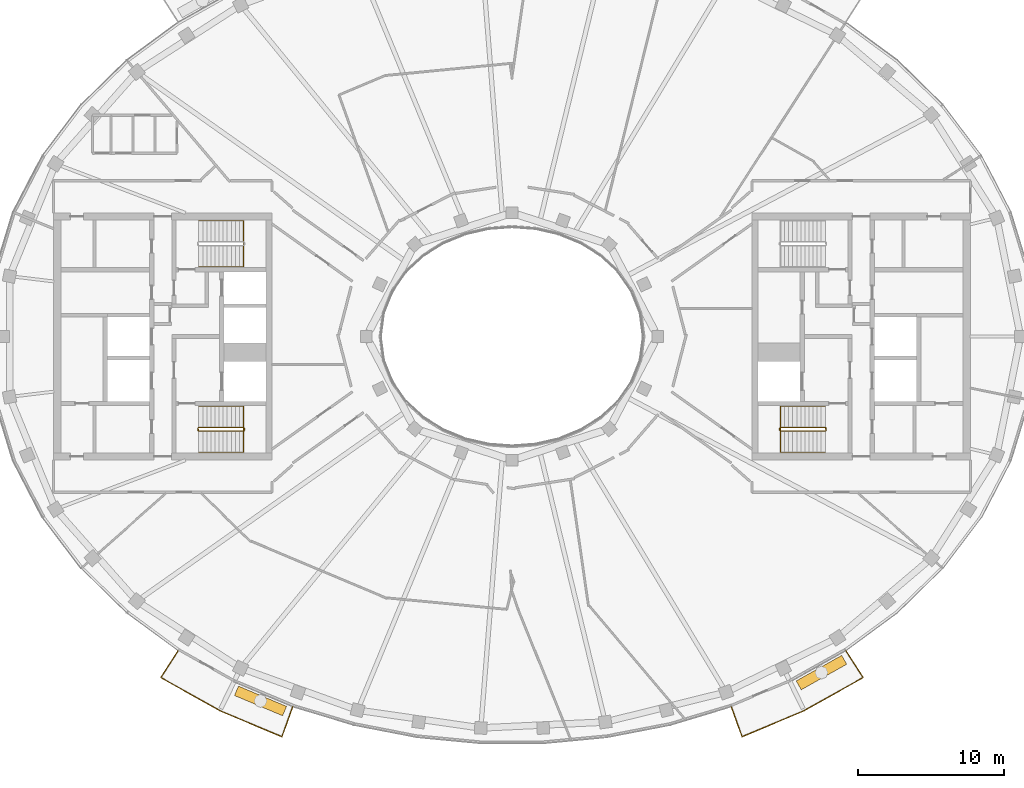
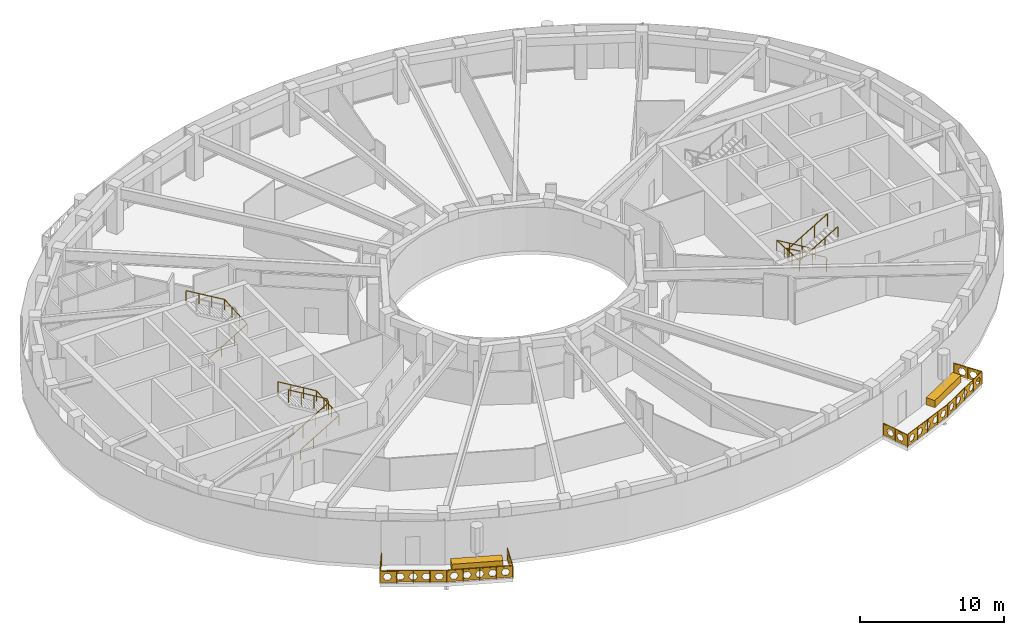
# One storey, part 16 of 18: 7 railings, 2 coverings.
"""IFC4 building model written with IfcOpenShell, lengths in metres."""

from ifc_helpers import new_model, si_unit, direction, frame, origin, origin_2d, place, context, subcontext, project, spatial, polyline, rectangle, outline, extrude, material, type_object, element, save


model = new_model("IFC4")

# Units and contexts
model_context = context("Model", 3, precision=1e-05, world=origin(), true_north=direction((0.0, 1.0)))
body_context = subcontext(model_context, "Body", "Model", "MODEL_VIEW")
ifc_project = project(units=[si_unit("LENGTHUNIT", "METRE"), si_unit("AREAUNIT", "SQUARE_METRE"), si_unit("VOLUMEUNIT", "CUBIC_METRE"), si_unit("PLANEANGLEUNIT", "RADIAN"), si_unit("MASSUNIT", "GRAM", prefix="KILO")], contexts=[model_context])

# Site, building, storey
site_placement = place(None, origin())
site = spatial("IfcSite", under=ifc_project, at=site_placement, CompositionType="ELEMENT")
building_placement = place(site_placement, origin())
building = spatial("IfcBuilding", under=site, at=building_placement, Name="Noorbagh Ring Tower", CompositionType="ELEMENT")
storey_placement = place(building_placement, frame((0.0, 0.0, 319.0)))
storey = spatial("IfcBuildingStorey", under=building, at=storey_placement, Name="L69", CompositionType="ELEMENT", Elevation=319.0)

# Railings
ifc_material_1 = material(Name="Stainless steel", Category="steel")
railing_type_1 = type_object("IfcRailingType", Name="CORE-STAIR-GUARD", PredefinedType="GUARDRAIL", material=ifc_material_1)
railing_1_placement = place(storey_placement, frame((-21.580078125, -6.449951171875, 0.0)))
element("IfcRailing", 1, at=railing_1_placement, inside=storey, type_object=railing_type_1, Name="L69 ST2 stair guard", PredefinedType="GUARDRAIL", context=body_context, shape_type="SweptSolid", body=[
    extrude(rectangle(XDim=0.048095703125, YDim=0.048095703125, at=origin_2d()), frame((0.0, 0.0, 1.076171875), z_axis=(0.0, 1.0, 0.0), x_axis=(-1.0, 0.0, 0.0)), (0.0, 0.0, 1.0), 0.14990234375),
    extrude(rectangle(XDim=0.048095703125, YDim=0.048095703125, at=origin_2d()), frame((0.0, 0.14990234375, 1.076171875), z_axis=(0.188775798145, -0.754182335027, 0.628945707965), x_axis=(0.970072785993, 0.242814311512, 0.0)), (0.0, 0.0, 1.0), 0.26513671875),
    extrude(rectangle(XDim=0.048095703125, YDim=0.048095703125, at=origin_2d()), frame((0.050048828125, -0.050048828125, 1.24267578125), z_axis=(0.859308565015, 0.0, 0.511457515432), x_axis=(0.0, 1.0, 0.0)), (0.0, 0.0, 1.0), 3.58447265625),
    extrude(rectangle(XDim=0.048095703125, YDim=0.048095703125, at=origin_2d()), frame((3.130126953125, -0.050048828125, 3.076171875), z_axis=(0.707106781187, 0.707106781187, 0.0), x_axis=(-0.707106781187, 0.707106781187, 0.0)), (0.0, 0.0, 1.0), 0.07080078125),
    extrude(rectangle(XDim=0.048095703125, YDim=0.048095703125, at=origin_2d()), frame((3.18017578125, 0.0, 3.076171875), z_axis=(0.0, 1.0, 0.0), x_axis=(-1.0, 0.0, 0.0)), (0.0, 0.0, 1.0), 0.14990234375),
    extrude(rectangle(XDim=0.048095703125, YDim=0.048095703125, at=origin_2d()), frame((3.18017578125, 0.14990234375, 3.076171875), z_axis=(-0.27628659633, 0.27628659633, 0.920506074601), x_axis=(-0.707106781187, -0.707106781187, 0.0)), (0.0, 0.0, 1.0), 0.18115234375),
    extrude(rectangle(XDim=0.048095703125, YDim=0.048095703125, at=origin_2d()), frame((3.130126953125, 0.199951171875, 3.24267578125), z_axis=(-0.859308565015, 0.0, 0.511457515432), x_axis=(0.0, -1.0, 0.0)), (0.0, 0.0, 1.0), 3.58447265625),
    extrude(rectangle(XDim=0.0419921875, YDim=0.0419921875, at=origin_2d()), origin(), (0.0, 0.0, 1.0), 1.052001953125),
    extrude(rectangle(XDim=0.0419921875, YDim=0.0419921875, at=origin_2d()), frame((1.07666015625, -0.050048828125, 0.77783203125)), (0.0, 0.0, 1.0), 1.052001953125),
    extrude(rectangle(XDim=0.0419921875, YDim=0.0419921875, at=origin_2d()), frame((2.103515625, -0.050048828125, 1.388916015625)), (0.0, 0.0, 1.0), 1.052001953125),
    extrude(rectangle(XDim=0.0419921875, YDim=0.0419921875, at=origin_2d()), frame((3.130126953125, -0.050048828125, 2.0)), (0.0, 0.0, 1.0), 1.052001953125),
    extrude(rectangle(XDim=0.0419921875, YDim=0.0419921875, at=origin_2d()), frame((3.130126953125, 0.199951171875, 2.166748046875)), (0.0, 0.0, 1.0), 1.052001953125),
    extrude(rectangle(XDim=0.0419921875, YDim=0.0419921875, at=origin_2d()), frame((2.103515625, 0.199951171875, 2.77783203125)), (0.0, 0.0, 1.0), 1.052001953125),
    extrude(rectangle(XDim=0.0419921875, YDim=0.0419921875, at=origin_2d()), frame((1.07666015625, 0.199951171875, 3.388916015625)), (0.0, 0.0, 1.0), 1.052001953125),
    extrude(rectangle(XDim=0.0419921875, YDim=0.0419921875, at=origin_2d()), frame((0.050048828125, 0.199951171875, 4.0)), (0.0, 0.0, 1.0), 1.052001953125),
])
railing_2_placement = place(storey_placement, frame((21.580078125, -6.300048828125, 0.0)))
element("IfcRailing", 2, at=railing_2_placement, inside=storey, type_object=railing_type_1, Name="L69 ST4 stair guard", PredefinedType="GUARDRAIL", context=body_context, shape_type="SweptSolid", body=[
    extrude(rectangle(XDim=0.048095703125, YDim=0.048095703125, at=origin_2d()), frame((0.0, 0.0, 1.076171875), z_axis=(0.0, -1.0, 0.0), x_axis=(1.0, 0.0, 0.0)), (0.0, 0.0, 1.0), 0.14990234375),
    extrude(rectangle(XDim=0.048095703125, YDim=0.048095703125, at=origin_2d()), frame((0.0, -0.14990234375, 1.076171875), z_axis=(-0.188775798145, 0.754182335027, 0.628945707965), x_axis=(-0.970072785993, -0.242814311512, 0.0)), (0.0, 0.0, 1.0), 0.26513671875),
    extrude(rectangle(XDim=0.048095703125, YDim=0.048095703125, at=origin_2d()), frame((-0.050048828125, 0.050048828125, 1.24267578125), z_axis=(-0.859308565015, 0.0, 0.511457515432), x_axis=(0.0, -1.0, 0.0)), (0.0, 0.0, 1.0), 3.58447265625),
    extrude(rectangle(XDim=0.048095703125, YDim=0.048095703125, at=origin_2d()), frame((-3.130126953125, 0.050048828125, 3.076171875), z_axis=(-0.707106781187, -0.707106781187, 0.0), x_axis=(0.707106781187, -0.707106781187, 0.0)), (0.0, 0.0, 1.0), 0.07080078125),
    extrude(rectangle(XDim=0.048095703125, YDim=0.048095703125, at=origin_2d()), frame((-3.18017578125, 0.0, 3.076171875), z_axis=(0.0, -1.0, 0.0), x_axis=(1.0, 0.0, 0.0)), (0.0, 0.0, 1.0), 0.14990234375),
    extrude(rectangle(XDim=0.048095703125, YDim=0.048095703125, at=origin_2d()), frame((-3.18017578125, -0.14990234375, 3.076171875), z_axis=(0.27628659633, -0.27628659633, 0.920506074601), x_axis=(0.707106781187, 0.707106781187, 0.0)), (0.0, 0.0, 1.0), 0.18115234375),
    extrude(rectangle(XDim=0.048095703125, YDim=0.048095703125, at=origin_2d()), frame((-3.130126953125, -0.199951171875, 3.24267578125), z_axis=(0.859308565015, 0.0, 0.511457515432), x_axis=(0.0, 1.0, 0.0)), (0.0, 0.0, 1.0), 3.58447265625),
    extrude(rectangle(XDim=0.0419921875, YDim=0.0419921875, at=origin_2d()), origin(), (0.0, 0.0, 1.0), 1.052001953125),
    extrude(rectangle(XDim=0.0419921875, YDim=0.0419921875, at=origin_2d()), frame((-1.07666015625, 0.050048828125, 0.77783203125)), (0.0, 0.0, 1.0), 1.052001953125),
    extrude(rectangle(XDim=0.0419921875, YDim=0.0419921875, at=origin_2d()), frame((-2.103515625, 0.050048828125, 1.388916015625)), (0.0, 0.0, 1.0), 1.052001953125),
    extrude(rectangle(XDim=0.0419921875, YDim=0.0419921875, at=origin_2d()), frame((-3.130126953125, 0.050048828125, 2.0)), (0.0, 0.0, 1.0), 1.052001953125),
    extrude(rectangle(XDim=0.0419921875, YDim=0.0419921875, at=origin_2d()), frame((-3.130126953125, -0.199951171875, 2.166748046875)), (0.0, 0.0, 1.0), 1.052001953125),
    extrude(rectangle(XDim=0.0419921875, YDim=0.0419921875, at=origin_2d()), frame((-2.103515625, -0.199951171875, 2.77783203125)), (0.0, 0.0, 1.0), 1.052001953125),
    extrude(rectangle(XDim=0.0419921875, YDim=0.0419921875, at=origin_2d()), frame((-1.07666015625, -0.199951171875, 3.388916015625)), (0.0, 0.0, 1.0), 1.052001953125),
    extrude(rectangle(XDim=0.0419921875, YDim=0.0419921875, at=origin_2d()), frame((-0.050048828125, -0.199951171875, 4.0)), (0.0, 0.0, 1.0), 1.052001953125),
])
ifc_material_2 = material(Name="Stainless steel", Category="steel")
railing_type_2 = type_object("IfcRailingType", Name="CORE-STAIR-HANDRAIL", PredefinedType="HANDRAIL", material=ifc_material_2)
railing_3_placement = place(storey_placement, frame((-21.530029296875, 4.800048828125, 0.166748046875)))
element("IfcRailing", 3, at=railing_3_placement, inside=storey, type_object=railing_type_2, Name="L69 ST1 stair handrail", PredefinedType="HANDRAIL", context=body_context, shape_type="SweptSolid", body=[
    extrude(rectangle(XDim=0.048095703125, YDim=0.048095703125, at=origin_2d()), frame((0.0, 0.0, 0.8759765625), z_axis=(0.859308565015, 0.0, 0.511457515432), x_axis=(0.0, 1.0, 0.0)), (0.0, 0.0, 1.0), 3.58447265625),
    extrude(rectangle(XDim=0.048095703125, YDim=0.048095703125, at=origin_2d()), frame((3.080078125, 0.0, 2.708984375), z_axis=(0.0, 0.998601747152, 0.052863509014), x_axis=(-1.0, 0.0, 0.0)), (0.0, 0.0, 1.0), 3.154296875),
    extrude(rectangle(XDim=0.048095703125, YDim=0.048095703125, at=origin_2d()), frame((3.080078125, 3.14990234375, 2.8759765625), z_axis=(-0.859308565015, 0.0, 0.511457515432), x_axis=(0.0, -1.0, 0.0)), (0.0, 0.0, 1.0), 3.58447265625),
    extrude(rectangle(XDim=0.0419921875, YDim=0.0419921875, at=origin_2d()), origin(), (0.0, 0.0, 1.0), 0.851806640625),
    extrude(rectangle(XDim=0.0419921875, YDim=0.0419921875, at=origin_2d()), frame((1.026611328125, 0.0, 0.611083984375)), (0.0, 0.0, 1.0), 0.851806640625),
    extrude(rectangle(XDim=0.0419921875, YDim=0.0419921875, at=origin_2d()), frame((2.053466796875, 0.0, 1.22216796875)), (0.0, 0.0, 1.0), 0.851806640625),
    extrude(rectangle(XDim=0.0419921875, YDim=0.0419921875, at=origin_2d()), frame((3.080078125, 0.0, 1.833251953125)), (0.0, 0.0, 1.0), 0.851806640625),
    extrude(rectangle(XDim=0.0419921875, YDim=0.0419921875, at=origin_2d()), frame((3.080078125, 1.050048828125, 1.888916015625)), (0.0, 0.0, 1.0), 0.851806640625),
    extrude(rectangle(XDim=0.0419921875, YDim=0.0419921875, at=origin_2d()), frame((3.080078125, 2.099853515625, 1.9443359375)), (0.0, 0.0, 1.0), 0.851806640625),
    extrude(rectangle(XDim=0.0419921875, YDim=0.0419921875, at=origin_2d()), frame((3.080078125, 3.14990234375, 2.0)), (0.0, 0.0, 1.0), 0.851806640625),
    extrude(rectangle(XDim=0.0419921875, YDim=0.0419921875, at=origin_2d()), frame((2.053466796875, 3.14990234375, 2.611083984375)), (0.0, 0.0, 1.0), 0.851806640625),
    extrude(rectangle(XDim=0.0419921875, YDim=0.0419921875, at=origin_2d()), frame((1.026611328125, 3.14990234375, 3.22216796875)), (0.0, 0.0, 1.0), 0.851806640625),
    extrude(rectangle(XDim=0.0419921875, YDim=0.0419921875, at=origin_2d()), frame((0.0, 3.14990234375, 3.833251953125)), (0.0, 0.0, 1.0), 0.851806640625),
])
railing_4_placement = place(storey_placement, frame((-21.530029296875, -7.949951171875, 0.166748046875)))
element("IfcRailing", 4, at=railing_4_placement, inside=storey, type_object=railing_type_2, Name="L69 ST2 stair handrail", PredefinedType="HANDRAIL", context=body_context, shape_type="SweptSolid", body=[
    extrude(rectangle(XDim=0.048095703125, YDim=0.048095703125, at=origin_2d()), frame((0.0, 0.0, 0.8759765625), z_axis=(0.859308565015, 0.0, 0.511457515432), x_axis=(0.0, 1.0, 0.0)), (0.0, 0.0, 1.0), 3.58447265625),
    extrude(rectangle(XDim=0.048095703125, YDim=0.048095703125, at=origin_2d()), frame((3.080078125, 0.0, 2.708984375), z_axis=(0.0, 0.998601747152, 0.052863509014), x_axis=(-1.0, 0.0, 0.0)), (0.0, 0.0, 1.0), 3.154296875),
    extrude(rectangle(XDim=0.048095703125, YDim=0.048095703125, at=origin_2d()), frame((3.080078125, 3.14990234375, 2.8759765625), z_axis=(-0.859308565015, 0.0, 0.511457515432), x_axis=(0.0, -1.0, 0.0)), (0.0, 0.0, 1.0), 3.58447265625),
    extrude(rectangle(XDim=0.0419921875, YDim=0.0419921875, at=origin_2d()), origin(), (0.0, 0.0, 1.0), 0.851806640625),
    extrude(rectangle(XDim=0.0419921875, YDim=0.0419921875, at=origin_2d()), frame((1.026611328125, 0.0, 0.611083984375)), (0.0, 0.0, 1.0), 0.851806640625),
    extrude(rectangle(XDim=0.0419921875, YDim=0.0419921875, at=origin_2d()), frame((2.053466796875, 0.0, 1.22216796875)), (0.0, 0.0, 1.0), 0.851806640625),
    extrude(rectangle(XDim=0.0419921875, YDim=0.0419921875, at=origin_2d()), frame((3.080078125, 0.0, 1.833251953125)), (0.0, 0.0, 1.0), 0.851806640625),
    extrude(rectangle(XDim=0.0419921875, YDim=0.0419921875, at=origin_2d()), frame((3.080078125, 1.050048828125, 1.888916015625)), (0.0, 0.0, 1.0), 0.851806640625),
    extrude(rectangle(XDim=0.0419921875, YDim=0.0419921875, at=origin_2d()), frame((3.080078125, 2.099853515625, 1.9443359375)), (0.0, 0.0, 1.0), 0.851806640625),
    extrude(rectangle(XDim=0.0419921875, YDim=0.0419921875, at=origin_2d()), frame((3.080078125, 3.14990234375, 2.0)), (0.0, 0.0, 1.0), 0.851806640625),
    extrude(rectangle(XDim=0.0419921875, YDim=0.0419921875, at=origin_2d()), frame((2.053466796875, 3.14990234375, 2.611083984375)), (0.0, 0.0, 1.0), 0.851806640625),
    extrude(rectangle(XDim=0.0419921875, YDim=0.0419921875, at=origin_2d()), frame((1.026611328125, 3.14990234375, 3.22216796875)), (0.0, 0.0, 1.0), 0.851806640625),
    extrude(rectangle(XDim=0.0419921875, YDim=0.0419921875, at=origin_2d()), frame((0.0, 3.14990234375, 3.833251953125)), (0.0, 0.0, 1.0), 0.851806640625),
])
railing_5_placement = place(storey_placement, frame((21.530029296875, -4.800048828125, 0.166748046875)))
element("IfcRailing", 5, at=railing_5_placement, inside=storey, type_object=railing_type_2, Name="L69 ST4 stair handrail", PredefinedType="HANDRAIL", context=body_context, shape_type="SweptSolid", body=[
    extrude(rectangle(XDim=0.048095703125, YDim=0.048095703125, at=origin_2d()), frame((0.0, 0.0, 0.8759765625), z_axis=(-0.859308565015, 0.0, 0.511457515432), x_axis=(0.0, -1.0, 0.0)), (0.0, 0.0, 1.0), 3.58447265625),
    extrude(rectangle(XDim=0.048095703125, YDim=0.048095703125, at=origin_2d()), frame((-3.080078125, 0.0, 2.708984375), z_axis=(0.0, -0.998601747152, 0.052863509014), x_axis=(1.0, 0.0, 0.0)), (0.0, 0.0, 1.0), 3.154296875),
    extrude(rectangle(XDim=0.048095703125, YDim=0.048095703125, at=origin_2d()), frame((-3.080078125, -3.14990234375, 2.8759765625), z_axis=(0.859308565015, 0.0, 0.511457515432), x_axis=(0.0, 1.0, 0.0)), (0.0, 0.0, 1.0), 3.58447265625),
    extrude(rectangle(XDim=0.0419921875, YDim=0.0419921875, at=origin_2d()), origin(), (0.0, 0.0, 1.0), 0.851806640625),
    extrude(rectangle(XDim=0.0419921875, YDim=0.0419921875, at=origin_2d()), frame((-1.026611328125, 0.0, 0.611083984375)), (0.0, 0.0, 1.0), 0.851806640625),
    extrude(rectangle(XDim=0.0419921875, YDim=0.0419921875, at=origin_2d()), frame((-2.053466796875, 0.0, 1.22216796875)), (0.0, 0.0, 1.0), 0.851806640625),
    extrude(rectangle(XDim=0.0419921875, YDim=0.0419921875, at=origin_2d()), frame((-3.080078125, 0.0, 1.833251953125)), (0.0, 0.0, 1.0), 0.851806640625),
    extrude(rectangle(XDim=0.0419921875, YDim=0.0419921875, at=origin_2d()), frame((-3.080078125, -1.050048828125, 1.888916015625)), (0.0, 0.0, 1.0), 0.851806640625),
    extrude(rectangle(XDim=0.0419921875, YDim=0.0419921875, at=origin_2d()), frame((-3.080078125, -2.099853515625, 1.9443359375)), (0.0, 0.0, 1.0), 0.851806640625),
    extrude(rectangle(XDim=0.0419921875, YDim=0.0419921875, at=origin_2d()), frame((-3.080078125, -3.14990234375, 2.0)), (0.0, 0.0, 1.0), 0.851806640625),
    extrude(rectangle(XDim=0.0419921875, YDim=0.0419921875, at=origin_2d()), frame((-2.053466796875, -3.14990234375, 2.611083984375)), (0.0, 0.0, 1.0), 0.851806640625),
    extrude(rectangle(XDim=0.0419921875, YDim=0.0419921875, at=origin_2d()), frame((-1.026611328125, -3.14990234375, 3.22216796875)), (0.0, 0.0, 1.0), 0.851806640625),
    extrude(rectangle(XDim=0.0419921875, YDim=0.0419921875, at=origin_2d()), frame((0.0, -3.14990234375, 3.833251953125)), (0.0, 0.0, 1.0), 0.851806640625),
])
ifc_material_3 = material(Name="Steel S275 black powder-coated", Category="steel")
railing_type_3 = type_object("IfcRailingType", Name="ENV-GUARD", PredefinedType="GUARDRAIL", material=ifc_material_3)
railing_6_placement = place(storey_placement, frame((-22.9326171875, -21.583740234375, 0.0)))
element("IfcRailing", 6, at=railing_6_placement, inside=storey, type_object=railing_type_3, Name="Balcony guard BS02", PredefinedType="GUARDRAIL", context=body_context, shape_type="SweptSolid", body=[
    extrude(rectangle(XDim=0.048095703125, YDim=0.048095703125, at=origin_2d()), frame((0.0, 0.0, 1.076171875), z_axis=(-0.542268136821, -0.840205491406, 0.0), x_axis=(0.840205491406, -0.542268136821, 0.0)), (0.0, 0.0, 1.0), 2.204345703125),
    extrude(rectangle(XDim=0.048095703125, YDim=0.048095703125, at=origin_2d()), frame((-1.1953125, -1.85205078125, 1.076171875), z_axis=(0.872052247658, -0.489412788303, 0.0), x_axis=(0.489412788303, 0.872052247658, 0.0)), (0.0, 0.0, 1.0), 4.646240234375),
    extrude(rectangle(XDim=0.048095703125, YDim=0.048095703125, at=origin_2d()), frame((2.8564453125, -4.1259765625, 1.076171875), z_axis=(0.921809087722, -0.387644174203, 0.0), x_axis=(0.387644174203, 0.921809087722, 0.0)), (0.0, 0.0, 1.0), 4.627197265625),
    extrude(rectangle(XDim=0.048095703125, YDim=0.048095703125, at=origin_2d()), frame((7.121826171875, -5.919677734375, 1.076171875), z_axis=(0.338350546839, 0.941020141896, 0.0), x_axis=(-0.941020141896, 0.338350546839, 0.0)), (0.0, 0.0, 1.0), 2.202880859375),
    extrude(rectangle(XDim=0.0419921875, YDim=0.0419921875, at=origin_2d()), origin(), (0.0, 0.0, 1.0), 1.052001953125),
    extrude(rectangle(XDim=0.0419921875, YDim=0.0419921875, at=origin_2d()), frame((-0.59765625, -0.926025390625, 0.0)), (0.0, 0.0, 1.0), 1.052001953125),
    extrude(rectangle(XDim=0.0419921875, YDim=0.0419921875, at=origin_2d()), frame((-1.1953125, -1.85205078125, 0.0)), (0.0, 0.0, 1.0), 1.052001953125),
    extrude(rectangle(XDim=0.0419921875, YDim=0.0419921875, at=origin_2d()), frame((-0.182373046875, -2.42041015625, 0.0)), (0.0, 0.0, 1.0), 1.052001953125),
    extrude(rectangle(XDim=0.0419921875, YDim=0.0419921875, at=origin_2d()), frame((0.83056640625, -2.989013671875, 0.0)), (0.0, 0.0, 1.0), 1.052001953125),
    extrude(rectangle(XDim=0.0419921875, YDim=0.0419921875, at=origin_2d()), frame((1.843505859375, -3.5576171875, 0.0)), (0.0, 0.0, 1.0), 1.052001953125),
    extrude(rectangle(XDim=0.0419921875, YDim=0.0419921875, at=origin_2d()), frame((2.8564453125, -4.1259765625, 0.0)), (0.0, 0.0, 1.0), 1.052001953125),
    extrude(rectangle(XDim=0.0419921875, YDim=0.0419921875, at=origin_2d()), frame((3.9228515625, -4.574462890625, 0.0)), (0.0, 0.0, 1.0), 1.052001953125),
    extrude(rectangle(XDim=0.0419921875, YDim=0.0419921875, at=origin_2d()), frame((4.9892578125, -5.02294921875, 0.0)), (0.0, 0.0, 1.0), 1.052001953125),
    extrude(rectangle(XDim=0.0419921875, YDim=0.0419921875, at=origin_2d()), frame((6.055419921875, -5.47119140625, 0.0)), (0.0, 0.0, 1.0), 1.052001953125),
    extrude(rectangle(XDim=0.0419921875, YDim=0.0419921875, at=origin_2d()), frame((7.121826171875, -5.919677734375, 0.0)), (0.0, 0.0, 1.0), 1.052001953125),
    extrude(rectangle(XDim=0.0419921875, YDim=0.0419921875, at=origin_2d()), frame((7.49462890625, -4.88330078125, 0.0)), (0.0, 0.0, 1.0), 1.052001953125),
    extrude(rectangle(XDim=0.0419921875, YDim=0.0419921875, at=origin_2d()), frame((7.8671875, -3.8466796875, 0.0)), (0.0, 0.0, 1.0), 1.052001953125),
    extrude(outline(polyline([(0.0, 0.10009765625), (2.204345703125, 0.10009765625), (2.204345703125, 1.031982421875), (0.0, 1.031982421875), (0.0, 0.10009765625)]), holes=[polyline([(0.962158203125, 0.56591796875), (0.80712890625, 0.83447265625), (0.4970703125, 0.83447265625), (0.342041015625, 0.56591796875), (0.4970703125, 0.297607421875), (0.80712890625, 0.297607421875), (0.962158203125, 0.56591796875)]), polyline([(1.862060546875, 0.56591796875), (1.70703125, 0.83447265625), (1.397216796875, 0.83447265625), (1.2421875, 0.56591796875), (1.397216796875, 0.297607421875), (1.70703125, 0.297607421875), (1.862060546875, 0.56591796875)])]), frame((0.00830078125, -0.00537109375, 0.0), z_axis=(-0.840205491406, 0.542268136821, 0.0), x_axis=(-0.542268136821, -0.840205491406, 0.0)), (0.0, 0.0, 1.0), 0.02001953125),
    extrude(outline(polyline([(0.0, 0.10009765625), (4.646240234375, 0.10009765625), (4.646240234375, 1.031982421875), (0.0, 1.031982421875), (0.0, 0.10009765625)]), holes=[polyline([(0.8330078125, 0.56591796875), (0.67822265625, 0.83447265625), (0.3681640625, 0.83447265625), (0.213134765625, 0.56591796875), (0.3681640625, 0.297607421875), (0.67822265625, 0.297607421875), (0.8330078125, 0.56591796875)]), polyline([(1.733154296875, 0.56591796875), (1.578125, 0.83447265625), (1.26806640625, 0.83447265625), (1.113037109375, 0.56591796875), (1.26806640625, 0.297607421875), (1.578125, 0.297607421875), (1.733154296875, 0.56591796875)]), polyline([(2.633056640625, 0.56591796875), (2.47802734375, 0.83447265625), (2.168212890625, 0.83447265625), (2.01318359375, 0.56591796875), (2.168212890625, 0.297607421875), (2.47802734375, 0.297607421875), (2.633056640625, 0.56591796875)]), polyline([(3.533203125, 0.56591796875), (3.378173828125, 0.83447265625), (3.068115234375, 0.83447265625), (2.9130859375, 0.56591796875), (3.068115234375, 0.297607421875), (3.378173828125, 0.297607421875), (3.533203125, 0.56591796875)]), polyline([(4.43310546875, 0.56591796875), (4.278076171875, 0.83447265625), (3.968017578125, 0.83447265625), (3.813232421875, 0.56591796875), (3.968017578125, 0.297607421875), (4.278076171875, 0.297607421875), (4.43310546875, 0.56591796875)])]), frame((-1.1904296875, -1.84326171875, 0.0), z_axis=(-0.489412788303, -0.872052247658, 0.0), x_axis=(0.872052247658, -0.489412788303, 0.0)), (0.0, 0.0, 1.0), 0.02001953125),
    extrude(outline(polyline([(0.0, 0.10009765625), (4.627197265625, 0.10009765625), (4.627197265625, 1.031982421875), (0.0, 1.031982421875), (0.0, 0.10009765625)]), holes=[polyline([(0.823486328125, 0.56591796875), (0.668701171875, 0.83447265625), (0.358642578125, 0.83447265625), (0.20361328125, 0.56591796875), (0.358642578125, 0.297607421875), (0.668701171875, 0.297607421875), (0.823486328125, 0.56591796875)]), polyline([(1.7236328125, 0.56591796875), (1.568603515625, 0.83447265625), (1.258544921875, 0.83447265625), (1.103515625, 0.56591796875), (1.258544921875, 0.297607421875), (1.568603515625, 0.297607421875), (1.7236328125, 0.56591796875)]), polyline([(2.62353515625, 0.56591796875), (2.468505859375, 0.83447265625), (2.15869140625, 0.83447265625), (2.003662109375, 0.56591796875), (2.15869140625, 0.297607421875), (2.468505859375, 0.297607421875), (2.62353515625, 0.56591796875)]), polyline([(3.523681640625, 0.56591796875), (3.36865234375, 0.83447265625), (3.05859375, 0.83447265625), (2.903564453125, 0.56591796875), (3.05859375, 0.297607421875), (3.36865234375, 0.297607421875), (3.523681640625, 0.56591796875)]), polyline([(4.423583984375, 0.56591796875), (4.2685546875, 0.83447265625), (3.95849609375, 0.83447265625), (3.8037109375, 0.56591796875), (3.95849609375, 0.297607421875), (4.2685546875, 0.297607421875), (4.423583984375, 0.56591796875)])]), frame((2.8603515625, -4.11669921875, 0.0), z_axis=(-0.387644174203, -0.921809087722, 0.0), x_axis=(0.921809087722, -0.387644174203, 0.0)), (0.0, 0.0, 1.0), 0.02001953125),
    extrude(outline(polyline([(0.0, 0.10009765625), (2.202880859375, 0.10009765625), (2.202880859375, 1.031982421875), (0.0, 1.031982421875), (0.0, 0.10009765625)]), holes=[polyline([(0.96142578125, 0.56591796875), (0.806396484375, 0.83447265625), (0.49658203125, 0.83447265625), (0.341552734375, 0.56591796875), (0.49658203125, 0.297607421875), (0.806396484375, 0.297607421875), (0.96142578125, 0.56591796875)]), polyline([(1.861572265625, 0.56591796875), (1.70654296875, 0.83447265625), (1.396484375, 0.83447265625), (1.241455078125, 0.56591796875), (1.396484375, 0.297607421875), (1.70654296875, 0.297607421875), (1.861572265625, 0.56591796875)])]), frame((7.1123046875, -5.916259765625, 0.0), z_axis=(0.941020141896, -0.338350546839, 0.0), x_axis=(0.338350546839, 0.941020141896, 0.0)), (0.0, 0.0, 1.0), 0.02001953125),
])
railing_7_placement = place(storey_placement, frame((15.0654296875, -25.430419921875, 0.0)))
element("IfcRailing", 7, at=railing_7_placement, inside=storey, type_object=railing_type_3, Name="Balcony guard BS05", PredefinedType="GUARDRAIL", context=body_context, shape_type="SweptSolid", body=[
    extrude(rectangle(XDim=0.048095703125, YDim=0.048095703125, at=origin_2d()), frame((0.0, 0.0, 1.076171875), z_axis=(0.338350546839, -0.941020141896, 0.0), x_axis=(0.941020141896, 0.338350546839, 0.0)), (0.0, 0.0, 1.0), 2.202880859375),
    extrude(rectangle(XDim=0.048095703125, YDim=0.048095703125, at=origin_2d()), frame((0.745361328125, -2.072998046875, 1.076171875), z_axis=(0.921809087722, 0.387644174203, 0.0), x_axis=(-0.387644174203, 0.921809087722, 0.0)), (0.0, 0.0, 1.0), 4.627197265625),
    extrude(rectangle(XDim=0.048095703125, YDim=0.048095703125, at=origin_2d()), frame((5.0107421875, -0.279296875, 1.076171875), z_axis=(0.872052247658, 0.489412788303, 0.0), x_axis=(-0.489412788303, 0.872052247658, 0.0)), (0.0, 0.0, 1.0), 4.646240234375),
    extrude(rectangle(XDim=0.048095703125, YDim=0.048095703125, at=origin_2d()), frame((9.0625, 1.99462890625, 1.076171875), z_axis=(-0.542268136821, 0.840205491406, 0.0), x_axis=(-0.840205491406, -0.542268136821, 0.0)), (0.0, 0.0, 1.0), 2.204345703125),
    extrude(rectangle(XDim=0.0419921875, YDim=0.0419921875, at=origin_2d()), origin(), (0.0, 0.0, 1.0), 1.052001953125),
    extrude(rectangle(XDim=0.0419921875, YDim=0.0419921875, at=origin_2d()), frame((0.37255859375, -1.03662109375, 0.0)), (0.0, 0.0, 1.0), 1.052001953125),
    extrude(rectangle(XDim=0.0419921875, YDim=0.0419921875, at=origin_2d()), frame((0.745361328125, -2.072998046875, 0.0)), (0.0, 0.0, 1.0), 1.052001953125),
    extrude(rectangle(XDim=0.0419921875, YDim=0.0419921875, at=origin_2d()), frame((1.811767578125, -1.62451171875, 0.0)), (0.0, 0.0, 1.0), 1.052001953125),
    extrude(rectangle(XDim=0.0419921875, YDim=0.0419921875, at=origin_2d()), frame((2.8779296875, -1.17626953125, 0.0)), (0.0, 0.0, 1.0), 1.052001953125),
    extrude(rectangle(XDim=0.0419921875, YDim=0.0419921875, at=origin_2d()), frame((3.9443359375, -0.727783203125, 0.0)), (0.0, 0.0, 1.0), 1.052001953125),
    extrude(rectangle(XDim=0.0419921875, YDim=0.0419921875, at=origin_2d()), frame((5.0107421875, -0.279296875, 0.0)), (0.0, 0.0, 1.0), 1.052001953125),
    extrude(rectangle(XDim=0.0419921875, YDim=0.0419921875, at=origin_2d()), frame((6.023681640625, 0.2890625, 0.0)), (0.0, 0.0, 1.0), 1.052001953125),
    extrude(rectangle(XDim=0.0419921875, YDim=0.0419921875, at=origin_2d()), frame((7.03662109375, 0.857666015625, 0.0)), (0.0, 0.0, 1.0), 1.052001953125),
    extrude(rectangle(XDim=0.0419921875, YDim=0.0419921875, at=origin_2d()), frame((8.049560546875, 1.42626953125, 0.0)), (0.0, 0.0, 1.0), 1.052001953125),
    extrude(rectangle(XDim=0.0419921875, YDim=0.0419921875, at=origin_2d()), frame((9.0625, 1.99462890625, 0.0)), (0.0, 0.0, 1.0), 1.052001953125),
    extrude(rectangle(XDim=0.0419921875, YDim=0.0419921875, at=origin_2d()), frame((8.46484375, 2.920654296875, 0.0)), (0.0, 0.0, 1.0), 1.052001953125),
    extrude(rectangle(XDim=0.0419921875, YDim=0.0419921875, at=origin_2d()), frame((7.8671875, 3.8466796875, 0.0)), (0.0, 0.0, 1.0), 1.052001953125),
    extrude(outline(polyline([(0.0, 0.10009765625), (2.202880859375, 0.10009765625), (2.202880859375, 1.031982421875), (0.0, 1.031982421875), (0.0, 0.10009765625)]), holes=[polyline([(0.96142578125, 0.56591796875), (0.806396484375, 0.83447265625), (0.49658203125, 0.83447265625), (0.341552734375, 0.56591796875), (0.49658203125, 0.297607421875), (0.806396484375, 0.297607421875), (0.96142578125, 0.56591796875)]), polyline([(1.861572265625, 0.56591796875), (1.70654296875, 0.83447265625), (1.396484375, 0.83447265625), (1.241455078125, 0.56591796875), (1.396484375, 0.297607421875), (1.70654296875, 0.297607421875), (1.861572265625, 0.56591796875)])]), frame((0.009521484375, 0.00341796875, 0.0), z_axis=(-0.941020141896, -0.338350546839, 0.0), x_axis=(0.338350546839, -0.941020141896, 0.0)), (0.0, 0.0, 1.0), 0.02001953125),
    extrude(outline(polyline([(0.0, 0.10009765625), (4.627197265625, 0.10009765625), (4.627197265625, 1.031982421875), (0.0, 1.031982421875), (0.0, 0.10009765625)]), holes=[polyline([(0.823486328125, 0.56591796875), (0.668701171875, 0.83447265625), (0.358642578125, 0.83447265625), (0.20361328125, 0.56591796875), (0.358642578125, 0.297607421875), (0.668701171875, 0.297607421875), (0.823486328125, 0.56591796875)]), polyline([(1.7236328125, 0.56591796875), (1.568603515625, 0.83447265625), (1.258544921875, 0.83447265625), (1.103515625, 0.56591796875), (1.258544921875, 0.297607421875), (1.568603515625, 0.297607421875), (1.7236328125, 0.56591796875)]), polyline([(2.62353515625, 0.56591796875), (2.468505859375, 0.83447265625), (2.15869140625, 0.83447265625), (2.003662109375, 0.56591796875), (2.15869140625, 0.297607421875), (2.468505859375, 0.297607421875), (2.62353515625, 0.56591796875)]), polyline([(3.523681640625, 0.56591796875), (3.36865234375, 0.83447265625), (3.05859375, 0.83447265625), (2.903564453125, 0.56591796875), (3.05859375, 0.297607421875), (3.36865234375, 0.297607421875), (3.523681640625, 0.56591796875)]), polyline([(4.423583984375, 0.56591796875), (4.2685546875, 0.83447265625), (3.95849609375, 0.83447265625), (3.8037109375, 0.56591796875), (3.95849609375, 0.297607421875), (4.2685546875, 0.297607421875), (4.423583984375, 0.56591796875)])]), frame((0.741455078125, -2.063720703125, 0.0), z_axis=(0.387644174203, -0.921809087722, 0.0), x_axis=(0.921809087722, 0.387644174203, 0.0)), (0.0, 0.0, 1.0), 0.02001953125),
    extrude(outline(polyline([(0.0, 0.10009765625), (4.646240234375, 0.10009765625), (4.646240234375, 1.031982421875), (0.0, 1.031982421875), (0.0, 0.10009765625)]), holes=[polyline([(0.8330078125, 0.56591796875), (0.67822265625, 0.83447265625), (0.3681640625, 0.83447265625), (0.213134765625, 0.56591796875), (0.3681640625, 0.297607421875), (0.67822265625, 0.297607421875), (0.8330078125, 0.56591796875)]), polyline([(1.733154296875, 0.56591796875), (1.578125, 0.83447265625), (1.26806640625, 0.83447265625), (1.113037109375, 0.56591796875), (1.26806640625, 0.297607421875), (1.578125, 0.297607421875), (1.733154296875, 0.56591796875)]), polyline([(2.633056640625, 0.56591796875), (2.47802734375, 0.83447265625), (2.168212890625, 0.83447265625), (2.01318359375, 0.56591796875), (2.168212890625, 0.297607421875), (2.47802734375, 0.297607421875), (2.633056640625, 0.56591796875)]), polyline([(3.533203125, 0.56591796875), (3.378173828125, 0.83447265625), (3.068115234375, 0.83447265625), (2.9130859375, 0.56591796875), (3.068115234375, 0.297607421875), (3.378173828125, 0.297607421875), (3.533203125, 0.56591796875)]), polyline([(4.43310546875, 0.56591796875), (4.278076171875, 0.83447265625), (3.968017578125, 0.83447265625), (3.813232421875, 0.56591796875), (3.968017578125, 0.297607421875), (4.278076171875, 0.297607421875), (4.43310546875, 0.56591796875)])]), frame((5.005859375, -0.2705078125, 0.0), z_axis=(0.489412788303, -0.872052247658, 0.0), x_axis=(0.872052247658, 0.489412788303, 0.0)), (0.0, 0.0, 1.0), 0.02001953125),
    extrude(outline(polyline([(0.0, 0.10009765625), (2.204345703125, 0.10009765625), (2.204345703125, 1.031982421875), (0.0, 1.031982421875), (0.0, 0.10009765625)]), holes=[polyline([(0.962158203125, 0.56591796875), (0.80712890625, 0.83447265625), (0.4970703125, 0.83447265625), (0.342041015625, 0.56591796875), (0.4970703125, 0.297607421875), (0.80712890625, 0.297607421875), (0.962158203125, 0.56591796875)]), polyline([(1.862060546875, 0.56591796875), (1.70703125, 0.83447265625), (1.397216796875, 0.83447265625), (1.2421875, 0.56591796875), (1.397216796875, 0.297607421875), (1.70703125, 0.297607421875), (1.862060546875, 0.56591796875)])]), frame((9.05419921875, 1.9892578125, 0.0), z_axis=(0.840205491406, 0.542268136821, 0.0), x_axis=(-0.542268136821, 0.840205491406, 0.0)), (0.0, 0.0, 1.0), 0.02001953125),
])

# Coverings
ifc_material_4 = material(Name="Concrete C30/37 planter with soil", Category="concrete")
covering_type = type_object("IfcCoveringType", Name="ENV-PLANTER", PredefinedType="CLADDING", material=ifc_material_4)
covering_1_placement = place(storey_placement, frame((-17.280517578125, -25.041259765625, 0.0), z_axis=(0.0, 0.0, 1.0), x_axis=(0.921811566494, -0.387638279686, 0.0)))
element("IfcCovering", 8, at=covering_1_placement, inside=storey, type_object=covering_type, Name="PLANTER BS02", ObjectType="PLANTER", PredefinedType="CLADDING", context=body_context, shape_type="SweptSolid", body=[
    extrude(rectangle(XDim=3.5859375, YDim=0.699951171875, at=origin_2d()), origin(), (0.0, 0.0, 1.0), 0.60009765625),
])
covering_2_placement = place(storey_placement, frame((21.26513671875, -23.093017578125, 0.0), z_axis=(0.0, 0.0, 1.0), x_axis=(0.872044586249, 0.48942643941, 0.0)))
element("IfcCovering", 9, at=covering_2_placement, inside=storey, type_object=covering_type, Name="PLANTER BS05", ObjectType="PLANTER", PredefinedType="CLADDING", context=body_context, shape_type="SweptSolid", body=[
    extrude(rectangle(XDim=3.58544921875, YDim=0.699951171875, at=origin_2d()), origin(), (0.0, 0.0, 1.0), 0.60009765625),
])

save(model, "model.ifc")
